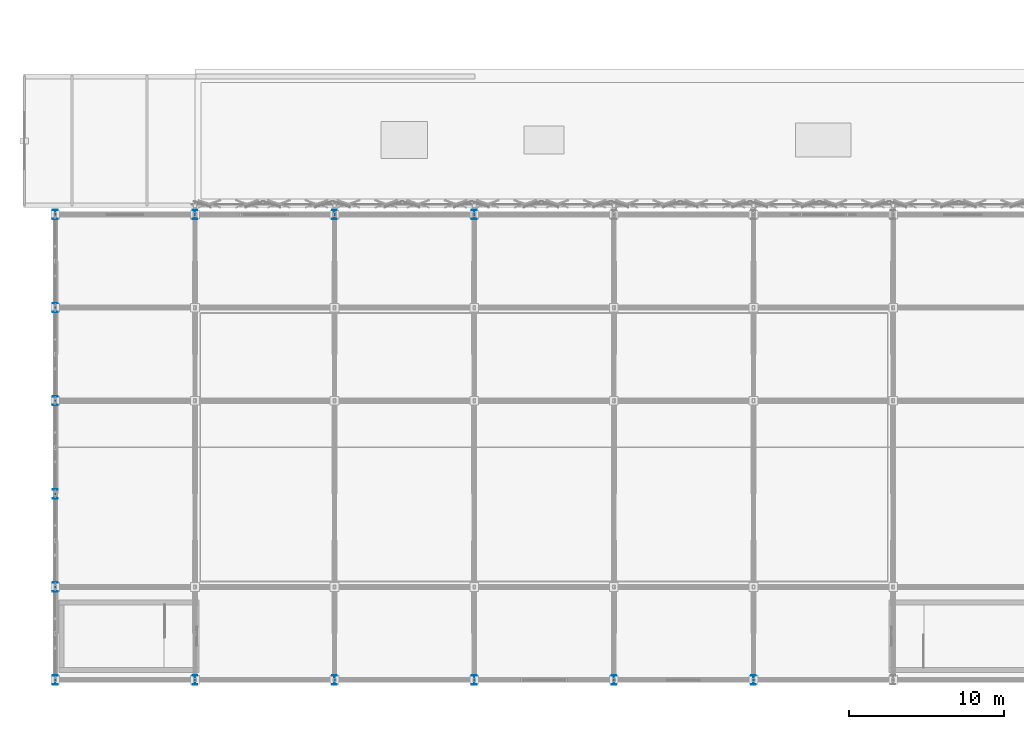
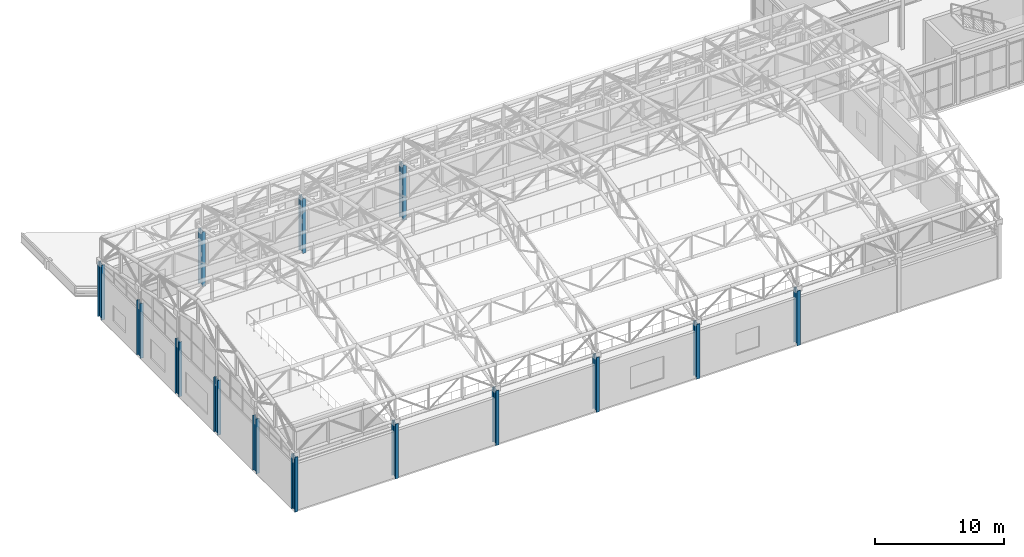
# One storey, part 1 of 112: 14 columns.
"""IFC4 building model written with IfcOpenShell, lengths in metres."""

import ifcopenshell
import ifcopenshell.guid

model = None  # the IFC model being written
_history = None  # IfcOwnerHistory: only IFC2X3 demands one
_inside = {}  # id of a spatial element -> (the spatial element, [elements in it])
_under = {}  # id of a project, library or spatial element -> (it, [spatial elements below it])
_declared = {}  # id of a project -> (the project, [libraries it declares])
_typed = {}  # id of a type object -> (the type object, [elements of that type])
_made_of = {}  # id of a material, layer set ... -> (it, [elements and type objects made of it])


def new_model(schema):
    """Start an empty IFC model of exactly this schema.

    Asked for "IFC4X3", IfcOpenShell would pick the latest addendum, in which some entities
    have other attributes; the version numbers below select the first issue.
    IFC2X3 requires an IfcOwnerHistory on every rooted entity: one is made here for all.
    """
    global model, _history
    if schema == "IFC4X3":
        model = ifcopenshell.file(schema_version=(4, 3, 0, 0))
    else:
        model = ifcopenshell.file(schema=schema)
    _inside.clear()
    _under.clear()
    _declared.clear()
    _typed.clear()
    _made_of.clear()
    _history = None
    if model.schema == "IFC2X3":
        org = make("IfcOrganization", Name="unknown")
        user = make(
            "IfcPersonAndOrganization",
            ThePerson=make("IfcPerson", FamilyName="unknown"),
            TheOrganization=org,
        )
        app = make(
            "IfcApplication",
            ApplicationDeveloper=org,
            Version="unknown",
            ApplicationFullName="unknown",
            ApplicationIdentifier="unknown",
        )
        _history = make(
            "IfcOwnerHistory",
            OwningUser=user,
            OwningApplication=app,
            ChangeAction="ADDED",
            CreationDate=0,
        )
    return model


def make(cls, **values):
    """One entity of the class cls with the attributes given. An attribute that is None is left unset."""
    return model.create_entity(
        cls, **{name: value for name, value in values.items() if value is not None}
    )


def rooted(cls, **values):
    """An entity with a GlobalId (a new one), such as an element, a storey or a relation."""
    return make(cls, GlobalId=ifcopenshell.guid.new(), OwnerHistory=_history, **values)


def si_unit(unit_type, name, prefix=None):
    """IfcSIUnit, for example si_unit("LENGTHUNIT", "METRE", prefix="MILLI")."""
    return make("IfcSIUnit", UnitType=unit_type, Prefix=prefix, Name=name)


def assignment(units):
    """IfcUnitAssignment: the units of a project."""
    return None if units is None else make("IfcUnitAssignment", Units=units)


def point(xyz):
    """IfcCartesianPoint."""
    return None if xyz is None else make("IfcCartesianPoint", Coordinates=xyz)


def direction(xyz):
    """IfcDirection."""
    return None if xyz is None else make("IfcDirection", DirectionRatios=xyz)


def frame(location, z_axis=None, x_axis=None):
    """IfcAxis2Placement3D, a coordinate frame: its origin and axes. An axis left out is left unset."""
    return make(
        "IfcAxis2Placement3D",
        Location=point(location),
        Axis=direction(z_axis),
        RefDirection=direction(x_axis),
    )


def frame_2d(location, x_axis=None):
    """IfcAxis2Placement2D, a coordinate frame in the plane: its origin and x axis."""
    return make(
        "IfcAxis2Placement2D", Location=point(location), RefDirection=direction(x_axis)
    )


def origin():
    """The frame at (0, 0, 0) with its axes left unset."""
    return frame((0.0, 0.0, 0.0))


def origin_2d():
    """The frame at (0, 0) in the plane with its x axis left unset."""
    return frame_2d((0.0, 0.0))


def place(relative_to, where):
    """IfcLocalPlacement: puts the frame where relative to a parent placement (None: the world)."""
    return make(
        "IfcLocalPlacement", PlacementRelTo=relative_to, RelativePlacement=where
    )


def context(
    kind, dimensions, precision=None, world=None, true_north=None, identifier=None
):
    """IfcGeometricRepresentationContext, for example the 3D "Model" context."""
    return make(
        "IfcGeometricRepresentationContext",
        ContextIdentifier=identifier,
        ContextType=kind,
        CoordinateSpaceDimension=dimensions,
        Precision=precision,
        WorldCoordinateSystem=world,
        TrueNorth=true_north,
    )


def subcontext(parent, identifier, kind, view, scale=None):
    """IfcGeometricRepresentationSubContext, for example "Body" below "Model"."""
    return make(
        "IfcGeometricRepresentationSubContext",
        ContextIdentifier=identifier,
        ContextType=kind,
        ParentContext=parent,
        TargetScale=scale,
        TargetView=view,
    )


def project(units=None, contexts=None):
    """IfcProject with its units and contexts."""
    return rooted(
        "IfcProject",
        Name="project",
        RepresentationContexts=contexts,
        UnitsInContext=assignment(units),
    )


def spatial(cls, under=None, at=None, **own):
    """A site, building, storey or space (cls), placed at a placement, below another one or the project."""
    s = rooted(cls, ObjectPlacement=at, **own)
    if under is not None:
        _under.setdefault(under.id(), (under, []))[1].append(s)
    return s


def profile(cls, at=None, kind="AREA", **sizes):
    """A parametric profile (cls). Its sizes go by their IFC names, for example OverallWidth=200.0."""
    return make(cls, ProfileType=kind, Position=at, **sizes)


def i_section(**sizes):
    """IfcIShapeProfileDef."""
    return profile("IfcIShapeProfileDef", **sizes)


def extrude(swept, where, along, depth):
    """IfcExtrudedAreaSolid: the profile swept, set in the frame where, extruded along a direction by depth."""
    return make(
        "IfcExtrudedAreaSolid",
        SweptArea=swept,
        Position=where,
        ExtrudedDirection=direction(along),
        Depth=depth,
    )


def shape(context_of_items, identifier, shape_type, items):
    """IfcShapeRepresentation: the items that make up one representation, for example the "Body"."""
    return make(
        "IfcShapeRepresentation",
        ContextOfItems=context_of_items,
        RepresentationIdentifier=identifier,
        RepresentationType=shape_type,
        Items=items,
    )


def material(Name=None, Category=None):
    """IfcMaterial."""
    return make("IfcMaterial", Name=Name, Category=Category)


def material_profile(
    of_material, cross_section, Name=None, Category=None, Priority=None
):
    """IfcMaterialProfile: a cross section and its material."""
    return make(
        "IfcMaterialProfile",
        Name=Name,
        Material=of_material,
        Profile=cross_section,
        Priority=Priority,
        Category=Category,
    )


def profile_set(profiles, Name=None, composite=None):
    """IfcMaterialProfileSet."""
    return make(
        "IfcMaterialProfileSet",
        Name=Name,
        MaterialProfiles=profiles,
        CompositeProfile=composite,
    )


def made_of(thing, what):
    """Note that an element or type object is made of a material, layer set ...; save() writes the relation."""
    if what is not None:
        _made_of.setdefault(what.id(), (what, []))[1].append(thing)
    return thing


def type_object(cls, material=None, **own):
    """A type object (cls), such as IfcWallType, which elements share."""
    return made_of(rooted(cls, **own), material)


def element(
    cls,
    number,
    at=None,
    inside=None,
    cuts=None,
    type_object=None,
    material=None,
    context=None,
    identifier="Body",
    shape_type=None,
    held_by="IfcProductDefinitionShape",
    body=None,
    shapes=None,
    **own,
):
    """One element of the class cls, such as IfcWall. Its Tag is "e" and its number.

    at: its placement. inside: the storey or other place that contains it. cuts: it is an
    opening in that element (IfcRelVoidsElement). A single representation is given by context,
    identifier, shape_type and body (its items); several are given by shapes. held_by: the class
    of the entity that holds the representations. save() writes the other relations.
    """
    e = rooted(cls, Tag="e%d" % number, ObjectPlacement=at, **own)
    if body is not None:
        shapes = [shape(context, identifier, shape_type, body)]
    if shapes is not None:
        e.Representation = make(held_by, Representations=shapes)
    if inside is not None:
        _inside.setdefault(inside.id(), (inside, []))[1].append(e)
    if cuts is not None:
        rooted(
            "IfcRelVoidsElement", RelatingBuildingElement=cuts, RelatedOpeningElement=e
        )
    if type_object is not None:
        _typed.setdefault(type_object.id(), (type_object, []))[1].append(e)
    return made_of(e, material)


def aggregate(whole, parts):
    """IfcRelAggregates: a whole, such as a stair, and the parts it consists of."""
    return rooted("IfcRelAggregates", RelatingObject=whole, RelatedObjects=parts)


def save(model, path):
    """Write the relations noted so far, then the file.

    IfcRelAggregates (storeys below a building ...), IfcRelContainedInSpatialStructure (elements
    in a storey), IfcRelDefinesByType, IfcRelAssociatesMaterial and IfcRelDeclares: one each for
    every whole, place, type object, material and project.
    """
    for whole, parts in _under.values():
        aggregate(whole, parts)
    for where, things in _inside.values():
        rooted(
            "IfcRelContainedInSpatialStructure",
            RelatedElements=things,
            RelatingStructure=where,
        )
    for kind, things in _typed.values():
        rooted("IfcRelDefinesByType", RelatedObjects=things, RelatingType=kind)
    for what, things in _made_of.values():
        rooted("IfcRelAssociatesMaterial", RelatedObjects=things, RelatingMaterial=what)
    for by, libraries in _declared.values():
        rooted("IfcRelDeclares", RelatingContext=by, RelatedDefinitions=libraries)
    model.write(path)


model = new_model("IFC4")

# Units and contexts
model_context = context("Model", 3, precision=1e-05, world=origin(), true_north=direction((0.0, 1.0)))
body_context = subcontext(model_context, "Body", "Model", "MODEL_VIEW")
ifc_project = project(units=[si_unit("LENGTHUNIT", "METRE"), si_unit("AREAUNIT", "SQUARE_METRE"), si_unit("VOLUMEUNIT", "CUBIC_METRE"), si_unit("PLANEANGLEUNIT", "RADIAN"), si_unit("MASSUNIT", "GRAM", prefix="KILO")], contexts=[model_context])

# Site, building, storey
site_placement = place(None, origin())
site = spatial("IfcSite", under=ifc_project, at=site_placement, CompositionType="ELEMENT")
building_placement = place(site_placement, origin())
building = spatial("IfcBuilding", under=site, at=building_placement, Name="Kaldris Quays Convention Centre", CompositionType="ELEMENT")
storey_placement = place(building_placement, frame((0.0, 0.0, 16.800048828125)))
storey = spatial("IfcBuildingStorey", under=building, at=storey_placement, Name="L03", CompositionType="ELEMENT", Elevation=16.800048828125)

# Columns
ifc_material = material(Name="Steel S355J2", Category="steel")
ifc_material_profile = material_profile(ifc_material, i_section(OverallWidth=0.300048828125, OverallDepth=0.60009765625, WebThickness=0.015380859375, FlangeThickness=0.030029296875, FilletRadius=0.027099609375, at=origin_2d()), Name="HEB 600")
ifc_profile_set = profile_set([ifc_material_profile], Name="Steel S355J2")
column_type = type_object("IfcColumnType", Name="STRUCTURAL COLUMN CL06", PredefinedType="COLUMN", material=ifc_profile_set)
for number, where, z_axis, x_axis, name in (
    (1, (20.0, 16.0, 0.0), (0.0, 0.0, 1.0), (1.0, 0.0, 0.0), "L03 V3 Column CL06 (20.00, 16.00)"),
    (2, (20.0, 22.0, 0.0), (0.0, 0.0, 1.0), (1.0, 0.0, 0.0), "L03 V3 Column CL06 (20.00, 22.00)"),
    (3, (20.0, 28.0, 0.0), (0.0, 0.0, 1.0), (1.0, 0.0, 0.0), "L03 V3 Column CL06 (20.00, 28.00)"),
    (4, (20.0, 34.0, 0.0), (0.0, 0.0, 1.0), (1.0, 0.0, 0.0), "L03 V3 Column CL06 (20.00, 34.00)"),
    (5, (20.0, 40.0, 0.0), (0.0, 0.0, 1.0), (1.0, 0.0, 0.0), "L03 V3 Column CL06 (20.00, 40.00)"),
    (6, (20.0, 46.0, 0.0), (0.0, 0.0, 1.0), (1.0, 0.0, 0.0), "L03 V3 Column CL06 (20.00, 46.00)"),
    (7, (29.0, 16.0, 0.0), (0.0, 0.0, 1.0), (1.0, 0.0, 0.0), "L03 V3 Column CL06 (29.00, 16.00)"),
    (8, (29.0, 46.0, 0.0), (0.0, 0.0, 1.0), (1.0, 0.0, 0.0), "L03 V3 Column CL06 (29.00, 46.00)"),
    (9, (38.0, 16.0, 0.0), (0.0, 0.0, 1.0), (1.0, 0.0, 0.0), "L03 V3 Column CL06 (38.00, 16.00)"),
    (10, (38.0, 46.0, 0.0), (0.0, 0.0, 1.0), (1.0, 0.0, 0.0), "L03 V3 Column CL06 (38.00, 46.00)"),
    (11, (47.0, 16.0, 0.0), (0.0, 0.0, 1.0), (1.0, 0.0, 0.0), "L03 V3 Column CL06 (47.00, 16.00)"),
    (12, (47.0, 46.0, 0.0), (0.0, 0.0, 1.0), (1.0, 0.0, 0.0), "L03 V3 Column CL06 (47.00, 46.00)"),
    (13, (56.0, 16.0, 0.0), (0.0, 0.0, 1.0), (1.0, 0.0, 0.0), "L03 V3 Column CL06 (56.00, 16.00)"),
    (14, (65.0, 16.0, 0.0), (0.0, 0.0, 1.0), (1.0, 0.0, 0.0), "L03 V3 Column CL06 (65.00, 16.00)"),
):
    element("IfcColumn", number, at=place(storey_placement, frame(where, z_axis=z_axis, x_axis=x_axis)), inside=storey, type_object=column_type, Name=name, PredefinedType="COLUMN", context=body_context, shape_type="SweptSolid", body=[
        extrude(i_section(OverallWidth=0.300048828125, OverallDepth=0.60009765625, WebThickness=0.015380859375, FlangeThickness=0.030029296875, FilletRadius=0.027099609375, at=origin_2d()), origin(), (0.0, 0.0, 1.0), 5.199951171875),
    ])

save(model, "model.ifc")
